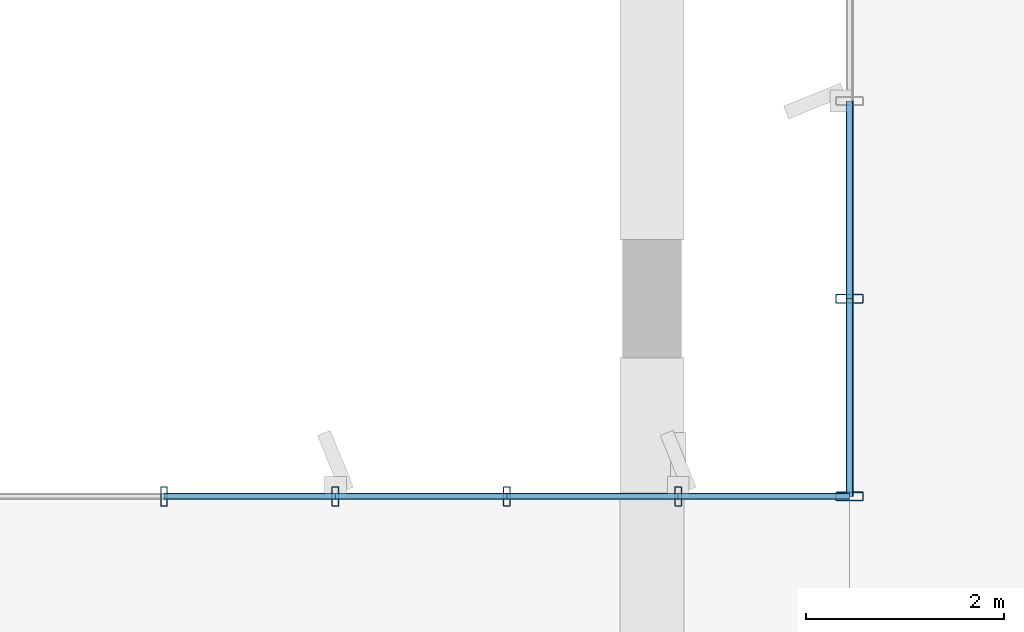
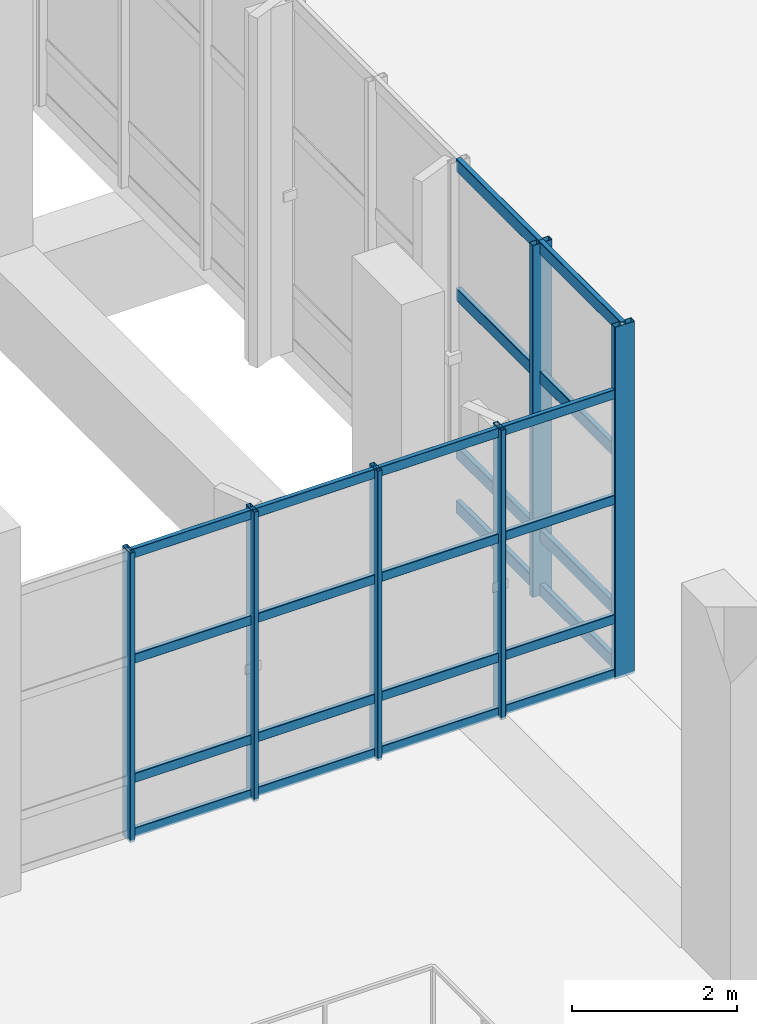
# One storey, part 46 of 176: 30 members, 2 elements without a shape of their own.
"""IFC4 building model written with IfcOpenShell, lengths in metres."""

import ifcopenshell
import ifcopenshell.guid

model = None  # the IFC model being written
_history = None  # IfcOwnerHistory: only IFC2X3 demands one
_inside = {}  # id of a spatial element -> (the spatial element, [elements in it])
_under = {}  # id of a project, library or spatial element -> (it, [spatial elements below it])
_declared = {}  # id of a project -> (the project, [libraries it declares])
_typed = {}  # id of a type object -> (the type object, [elements of that type])
_made_of = {}  # id of a material, layer set ... -> (it, [elements and type objects made of it])


def new_model(schema):
    """Start an empty IFC model of exactly this schema.

    Asked for "IFC4X3", IfcOpenShell would pick the latest addendum, in which some entities
    have other attributes; the version numbers below select the first issue.
    IFC2X3 requires an IfcOwnerHistory on every rooted entity: one is made here for all.
    """
    global model, _history
    if schema == "IFC4X3":
        model = ifcopenshell.file(schema_version=(4, 3, 0, 0))
    else:
        model = ifcopenshell.file(schema=schema)
    _inside.clear()
    _under.clear()
    _declared.clear()
    _typed.clear()
    _made_of.clear()
    _history = None
    if model.schema == "IFC2X3":
        org = make("IfcOrganization", Name="unknown")
        user = make(
            "IfcPersonAndOrganization",
            ThePerson=make("IfcPerson", FamilyName="unknown"),
            TheOrganization=org,
        )
        app = make(
            "IfcApplication",
            ApplicationDeveloper=org,
            Version="unknown",
            ApplicationFullName="unknown",
            ApplicationIdentifier="unknown",
        )
        _history = make(
            "IfcOwnerHistory",
            OwningUser=user,
            OwningApplication=app,
            ChangeAction="ADDED",
            CreationDate=0,
        )
    return model


def make(cls, **values):
    """One entity of the class cls with the attributes given. An attribute that is None is left unset."""
    return model.create_entity(
        cls, **{name: value for name, value in values.items() if value is not None}
    )


def rooted(cls, **values):
    """An entity with a GlobalId (a new one), such as an element, a storey or a relation."""
    return make(cls, GlobalId=ifcopenshell.guid.new(), OwnerHistory=_history, **values)


def si_unit(unit_type, name, prefix=None):
    """IfcSIUnit, for example si_unit("LENGTHUNIT", "METRE", prefix="MILLI")."""
    return make("IfcSIUnit", UnitType=unit_type, Prefix=prefix, Name=name)


def assignment(units):
    """IfcUnitAssignment: the units of a project."""
    return None if units is None else make("IfcUnitAssignment", Units=units)


def point(xyz):
    """IfcCartesianPoint."""
    return None if xyz is None else make("IfcCartesianPoint", Coordinates=xyz)


def direction(xyz):
    """IfcDirection."""
    return None if xyz is None else make("IfcDirection", DirectionRatios=xyz)


def frame(location, z_axis=None, x_axis=None):
    """IfcAxis2Placement3D, a coordinate frame: its origin and axes. An axis left out is left unset."""
    return make(
        "IfcAxis2Placement3D",
        Location=point(location),
        Axis=direction(z_axis),
        RefDirection=direction(x_axis),
    )


def frame_2d(location, x_axis=None):
    """IfcAxis2Placement2D, a coordinate frame in the plane: its origin and x axis."""
    return make(
        "IfcAxis2Placement2D", Location=point(location), RefDirection=direction(x_axis)
    )


def origin():
    """The frame at (0, 0, 0) with its axes left unset."""
    return frame((0.0, 0.0, 0.0))


def origin_2d():
    """The frame at (0, 0) in the plane with its x axis left unset."""
    return frame_2d((0.0, 0.0))


def place(relative_to, where):
    """IfcLocalPlacement: puts the frame where relative to a parent placement (None: the world)."""
    return make(
        "IfcLocalPlacement", PlacementRelTo=relative_to, RelativePlacement=where
    )


def context(
    kind, dimensions, precision=None, world=None, true_north=None, identifier=None
):
    """IfcGeometricRepresentationContext, for example the 3D "Model" context."""
    return make(
        "IfcGeometricRepresentationContext",
        ContextIdentifier=identifier,
        ContextType=kind,
        CoordinateSpaceDimension=dimensions,
        Precision=precision,
        WorldCoordinateSystem=world,
        TrueNorth=true_north,
    )


def subcontext(parent, identifier, kind, view, scale=None):
    """IfcGeometricRepresentationSubContext, for example "Body" below "Model"."""
    return make(
        "IfcGeometricRepresentationSubContext",
        ContextIdentifier=identifier,
        ContextType=kind,
        ParentContext=parent,
        TargetScale=scale,
        TargetView=view,
    )


def project(units=None, contexts=None):
    """IfcProject with its units and contexts."""
    return rooted(
        "IfcProject",
        Name="project",
        RepresentationContexts=contexts,
        UnitsInContext=assignment(units),
    )


def spatial(cls, under=None, at=None, **own):
    """A site, building, storey or space (cls), placed at a placement, below another one or the project."""
    s = rooted(cls, ObjectPlacement=at, **own)
    if under is not None:
        _under.setdefault(under.id(), (under, []))[1].append(s)
    return s


def profile(cls, at=None, kind="AREA", **sizes):
    """A parametric profile (cls). Its sizes go by their IFC names, for example OverallWidth=200.0."""
    return make(cls, ProfileType=kind, Position=at, **sizes)


def hollow_rectangle(**sizes):
    """IfcRectangleHollowProfileDef."""
    return profile("IfcRectangleHollowProfileDef", **sizes)


def extrude(swept, where, along, depth):
    """IfcExtrudedAreaSolid: the profile swept, set in the frame where, extruded along a direction by depth."""
    return make(
        "IfcExtrudedAreaSolid",
        SweptArea=swept,
        Position=where,
        ExtrudedDirection=direction(along),
        Depth=depth,
    )


def shape(context_of_items, identifier, shape_type, items):
    """IfcShapeRepresentation: the items that make up one representation, for example the "Body"."""
    return make(
        "IfcShapeRepresentation",
        ContextOfItems=context_of_items,
        RepresentationIdentifier=identifier,
        RepresentationType=shape_type,
        Items=items,
    )


def material(Name=None, Category=None):
    """IfcMaterial."""
    return make("IfcMaterial", Name=Name, Category=Category)


def layer(
    of_material, thickness, ventilated=None, Name=None, Category=None, Priority=None
):
    """IfcMaterialLayer: one layer of a wall or slab, of a material (None: an air gap)."""
    return make(
        "IfcMaterialLayer",
        Material=of_material,
        LayerThickness=thickness,
        IsVentilated=ventilated,
        Name=Name,
        Category=Category,
        Priority=Priority,
    )


def layer_set(layers, Name=None):
    """IfcMaterialLayerSet."""
    return make("IfcMaterialLayerSet", MaterialLayers=layers, LayerSetName=Name)


def material_profile(
    of_material, cross_section, Name=None, Category=None, Priority=None
):
    """IfcMaterialProfile: a cross section and its material."""
    return make(
        "IfcMaterialProfile",
        Name=Name,
        Material=of_material,
        Profile=cross_section,
        Priority=Priority,
        Category=Category,
    )


def profile_set(profiles, Name=None, composite=None):
    """IfcMaterialProfileSet."""
    return make(
        "IfcMaterialProfileSet",
        Name=Name,
        MaterialProfiles=profiles,
        CompositeProfile=composite,
    )


def made_of(thing, what):
    """Note that an element or type object is made of a material, layer set ...; save() writes the relation."""
    if what is not None:
        _made_of.setdefault(what.id(), (what, []))[1].append(thing)
    return thing


def type_object(cls, material=None, **own):
    """A type object (cls), such as IfcWallType, which elements share."""
    return made_of(rooted(cls, **own), material)


def element(
    cls,
    number,
    at=None,
    inside=None,
    cuts=None,
    type_object=None,
    material=None,
    context=None,
    identifier="Body",
    shape_type=None,
    held_by="IfcProductDefinitionShape",
    body=None,
    shapes=None,
    **own,
):
    """One element of the class cls, such as IfcWall. Its Tag is "e" and its number.

    at: its placement. inside: the storey or other place that contains it. cuts: it is an
    opening in that element (IfcRelVoidsElement). A single representation is given by context,
    identifier, shape_type and body (its items); several are given by shapes. held_by: the class
    of the entity that holds the representations. save() writes the other relations.
    """
    e = rooted(cls, Tag="e%d" % number, ObjectPlacement=at, **own)
    if body is not None:
        shapes = [shape(context, identifier, shape_type, body)]
    if shapes is not None:
        e.Representation = make(held_by, Representations=shapes)
    if inside is not None:
        _inside.setdefault(inside.id(), (inside, []))[1].append(e)
    if cuts is not None:
        rooted(
            "IfcRelVoidsElement", RelatingBuildingElement=cuts, RelatedOpeningElement=e
        )
    if type_object is not None:
        _typed.setdefault(type_object.id(), (type_object, []))[1].append(e)
    return made_of(e, material)


def aggregate(whole, parts):
    """IfcRelAggregates: a whole, such as a stair, and the parts it consists of."""
    return rooted("IfcRelAggregates", RelatingObject=whole, RelatedObjects=parts)


def save(model, path):
    """Write the relations noted so far, then the file.

    IfcRelAggregates (storeys below a building ...), IfcRelContainedInSpatialStructure (elements
    in a storey), IfcRelDefinesByType, IfcRelAssociatesMaterial and IfcRelDeclares: one each for
    every whole, place, type object, material and project.
    """
    for whole, parts in _under.values():
        aggregate(whole, parts)
    for where, things in _inside.values():
        rooted(
            "IfcRelContainedInSpatialStructure",
            RelatedElements=things,
            RelatingStructure=where,
        )
    for kind, things in _typed.values():
        rooted("IfcRelDefinesByType", RelatedObjects=things, RelatingType=kind)
    for what, things in _made_of.values():
        rooted("IfcRelAssociatesMaterial", RelatedObjects=things, RelatingMaterial=what)
    for by, libraries in _declared.values():
        rooted("IfcRelDeclares", RelatingContext=by, RelatedDefinitions=libraries)
    model.write(path)


model = new_model("IFC4")

# Units and contexts
model_context = context("Model", 3, precision=1e-05, world=origin(), true_north=direction((0.0, 1.0)))
body_context = subcontext(model_context, "Body", "Model", "MODEL_VIEW")
ifc_project = project(units=[si_unit("LENGTHUNIT", "METRE"), si_unit("AREAUNIT", "SQUARE_METRE"), si_unit("VOLUMEUNIT", "CUBIC_METRE"), si_unit("PLANEANGLEUNIT", "RADIAN"), si_unit("MASSUNIT", "GRAM", prefix="KILO")], contexts=[model_context])

# Site, building, storey
site_placement = place(None, origin())
site = spatial("IfcSite", under=ifc_project, at=site_placement, CompositionType="ELEMENT")
building_placement = place(site_placement, origin())
building = spatial("IfcBuilding", under=site, at=building_placement, Name="Khorjan Park Terminus", CompositionType="ELEMENT")
storey_placement = place(building_placement, frame((0.0, 0.0, 6.0)))
storey = spatial("IfcBuildingStorey", under=building, at=storey_placement, Name="L01", CompositionType="ELEMENT", Elevation=6.0)

# Curtain wall, members
ifc_material = material(Name="Anodized Bronze Aluminium", Category="aluminium")
ifc_layer_1 = layer(ifc_material, 0.22)
ifc_layer_set_1 = layer_set([ifc_layer_1], Name="Anodized Bronze Aluminium")
curtain_wall_type_1 = type_object("IfcCurtainWallType", Name="CW-PAV-C", PredefinedType="NOTDEFINED", material=ifc_layer_set_1)
curtain_wall_1_placement = place(storey_placement, origin())
curtain_wall_1 = element("IfcCurtainWall", 1, at=curtain_wall_1_placement, inside=storey, type_object=curtain_wall_type_1, Name="Unitized curtain wall CW-C (CW-V4L-N-L01-3)", PredefinedType="NOTDEFINED")
ifc_material_profile_1 = material_profile(ifc_material, hollow_rectangle(XDim=0.07, YDim=0.2, WallThickness=0.005, InnerFilletRadius=0.005, OuterFilletRadius=0.01, at=origin_2d()), Name="ALM 70x200x5")
ifc_profile_set_1 = profile_set([ifc_material_profile_1], Name="Anodized Bronze Aluminium")
member_type_1 = type_object("IfcMemberType", Name="ML-ALM-200", PredefinedType="MULLION", material=ifc_profile_set_1)
member_1_placement = place(storey_placement, frame((48.266, 66.0, -0.035), z_axis=(0.0, 0.0, 1.0), x_axis=(-1.0, 0.0, 0.0)))
member_1 = element("IfcMember", 2, at=member_1_placement, type_object=member_type_1, Name="Curtain-wall mullion ML-20 (CW-V4L-N-L01-3-1)", PredefinedType="MULLION", context=body_context, shape_type="SweptSolid", body=[
    extrude(hollow_rectangle(XDim=0.07, YDim=0.2, WallThickness=0.005, InnerFilletRadius=0.005, OuterFilletRadius=0.01, at=origin_2d()), origin(), (0.0, 0.0, 1.0), 4.295),
])
member_2_placement = place(storey_placement, frame((46.532, 66.0, -0.035), z_axis=(0.0, 0.0, 1.0), x_axis=(-1.0, 0.0, 0.0)))
member_2 = element("IfcMember", 3, at=member_2_placement, type_object=member_type_1, Name="Curtain-wall mullion ML-20 (CW-V4L-N-L01-3-2)", PredefinedType="MULLION", context=body_context, shape_type="SweptSolid", body=[
    extrude(hollow_rectangle(XDim=0.07, YDim=0.2, WallThickness=0.005, InnerFilletRadius=0.005, OuterFilletRadius=0.01, at=origin_2d()), origin(), (0.0, 0.0, 1.0), 4.295),
])
member_3_placement = place(storey_placement, frame((44.798, 66.0, -0.035), z_axis=(0.0, 0.0, 1.0), x_axis=(-1.0, 0.0, 0.0)))
member_3 = element("IfcMember", 4, at=member_3_placement, type_object=member_type_1, Name="Curtain-wall mullion ML-20 (CW-V4L-N-L01-3-3)", PredefinedType="MULLION", context=body_context, shape_type="SweptSolid", body=[
    extrude(hollow_rectangle(XDim=0.07, YDim=0.2, WallThickness=0.005, InnerFilletRadius=0.005, OuterFilletRadius=0.01, at=origin_2d()), origin(), (0.0, 0.0, 1.0), 4.295),
])
member_4_placement = place(storey_placement, frame((43.064, 66.0, -0.035), z_axis=(0.0, 0.0, 1.0), x_axis=(-1.0, 0.0, 0.0)))
member_4 = element("IfcMember", 5, at=member_4_placement, type_object=member_type_1, Name="Curtain-wall mullion ML-20 (CW-V4L-N-L01-3-4)", PredefinedType="MULLION", context=body_context, shape_type="SweptSolid", body=[
    extrude(hollow_rectangle(XDim=0.07, YDim=0.2, WallThickness=0.005, InnerFilletRadius=0.005, OuterFilletRadius=0.01, at=origin_2d()), origin(), (0.0, 0.0, 1.0), 4.295),
])

ifc_layer_2 = layer(ifc_material, 0.22)
ifc_layer_set_2 = layer_set([ifc_layer_2], Name="Anodized Bronze Aluminium")
curtain_wall_type_2 = type_object("IfcCurtainWallType", Name="CW-CONC-A", PredefinedType="NOTDEFINED", material=ifc_layer_set_2)
curtain_wall_2_placement = place(storey_placement, origin())
curtain_wall_2 = element("IfcCurtainWall", 6, at=curtain_wall_2_placement, inside=storey, type_object=curtain_wall_type_2, Name="Unitized curtain wall CW-A (CW-V2-W-L01-04)", PredefinedType="NOTDEFINED")
ifc_material_profile_2 = material_profile(ifc_material, hollow_rectangle(XDim=0.09, YDim=0.28, WallThickness=0.006, InnerFilletRadius=0.006, OuterFilletRadius=0.012, at=origin_2d()), Name="ALM 90x280x6")
ifc_profile_set_2 = profile_set([ifc_material_profile_2], Name="Anodized Bronze Aluminium")
member_type_2 = type_object("IfcMemberType", Name="ML-ALM-280", PredefinedType="MULLION", material=ifc_profile_set_2)
member_5_placement = place(storey_placement, frame((50.0, 68.0, -0.035), z_axis=(0.0, 0.0, 1.0), x_axis=(0.0, -1.0, 0.0)))
member_5 = element("IfcMember", 7, at=member_5_placement, type_object=member_type_2, Name="Curtain-wall mullion ML-28 (CW-V2-W-L01-04-4)", PredefinedType="MULLION", context=body_context, shape_type="SweptSolid", body=[
    extrude(hollow_rectangle(XDim=0.09, YDim=0.28, WallThickness=0.006, InnerFilletRadius=0.006, OuterFilletRadius=0.012, at=origin_2d()), origin(), (0.0, 0.0, 1.0), 5.22),
])
member_6_placement = place(storey_placement, frame((50.0, 66.0, -0.035), z_axis=(0.0, 0.0, 1.0), x_axis=(0.0, -1.0, 0.0)))
member_6 = element("IfcMember", 8, at=member_6_placement, type_object=member_type_2, Name="Curtain-wall mullion ML-28 (CW-V2-W-L01-04-5)", PredefinedType="MULLION", context=body_context, shape_type="SweptSolid", body=[
    extrude(hollow_rectangle(XDim=0.09, YDim=0.28, WallThickness=0.006, InnerFilletRadius=0.006, OuterFilletRadius=0.012, at=origin_2d()), origin(), (0.0, 0.0, 1.0), 5.22),
])

# Member
ifc_material_profile_3 = material_profile(ifc_material, hollow_rectangle(XDim=0.065, YDim=0.14, WallThickness=0.004, InnerFilletRadius=0.004, OuterFilletRadius=0.008, at=origin_2d()), Name="ALT 65x140x4")
ifc_profile_set_3 = profile_set([ifc_material_profile_3], Name="Anodized Bronze Aluminium")
member_type_3 = type_object("IfcMemberType", Name="TR-ALT-140", PredefinedType="USERDEFINED", material=ifc_profile_set_3)
member_7_placement = place(storey_placement, frame((50.0, 66.0, 0.04), z_axis=(-1.0, 0.0, 0.0), x_axis=(0.0, -1.0, 0.0)))
member_7 = element("IfcMember", 9, at=member_7_placement, type_object=member_type_3, Name="Curtain-wall transom TR-14 (CW-V4L-N-L01-3-0-1)", ObjectType="TRANSOM", PredefinedType="USERDEFINED", context=body_context, shape_type="SweptSolid", body=[
    extrude(hollow_rectangle(XDim=0.065, YDim=0.14, WallThickness=0.004, InnerFilletRadius=0.004, OuterFilletRadius=0.008, at=origin_2d()), origin(), (0.0, 0.0, 1.0), 1.734),
])

member_8_placement = place(storey_placement, frame((50.0, 66.0, 0.85), z_axis=(-1.0, 0.0, 0.0), x_axis=(0.0, -1.0, 0.0)))
member_8 = element("IfcMember", 10, at=member_8_placement, type_object=member_type_3, Name="Curtain-wall transom TR-14 (CW-V4L-N-L01-3-0-2)", ObjectType="TRANSOM", PredefinedType="USERDEFINED", context=body_context, shape_type="SweptSolid", body=[
    extrude(hollow_rectangle(XDim=0.065, YDim=0.14, WallThickness=0.004, InnerFilletRadius=0.004, OuterFilletRadius=0.008, at=origin_2d()), origin(), (0.0, 0.0, 1.0), 1.734),
])

member_9_placement = place(storey_placement, frame((50.0, 66.0, 2.6195), z_axis=(-1.0, 0.0, 0.0), x_axis=(0.0, -1.0, 0.0)))
member_9 = element("IfcMember", 11, at=member_9_placement, type_object=member_type_3, Name="Curtain-wall transom TR-14 (CW-V4L-N-L01-3-0-3)", ObjectType="TRANSOM", PredefinedType="USERDEFINED", context=body_context, shape_type="SweptSolid", body=[
    extrude(hollow_rectangle(XDim=0.065, YDim=0.14, WallThickness=0.004, InnerFilletRadius=0.004, OuterFilletRadius=0.008, at=origin_2d()), origin(), (0.0, 0.0, 1.0), 1.734),
])

member_10_placement = place(storey_placement, frame((50.0, 66.0, 4.185), z_axis=(-1.0, 0.0, 0.0), x_axis=(0.0, -1.0, 0.0)))
member_10 = element("IfcMember", 12, at=member_10_placement, type_object=member_type_3, Name="Curtain-wall transom TR-14 (CW-V4L-N-L01-3-0-4)", ObjectType="TRANSOM", PredefinedType="USERDEFINED", context=body_context, shape_type="SweptSolid", body=[
    extrude(hollow_rectangle(XDim=0.065, YDim=0.14, WallThickness=0.004, InnerFilletRadius=0.004, OuterFilletRadius=0.008, at=origin_2d()), origin(), (0.0, 0.0, 1.0), 1.734),
])

member_11_placement = place(storey_placement, frame((48.266, 66.0, 0.04), z_axis=(-1.0, 0.0, 0.0), x_axis=(0.0, -1.0, 0.0)))
member_11 = element("IfcMember", 13, at=member_11_placement, type_object=member_type_3, Name="Curtain-wall transom TR-14 (CW-V4L-N-L01-3-1-1)", ObjectType="TRANSOM", PredefinedType="USERDEFINED", context=body_context, shape_type="SweptSolid", body=[
    extrude(hollow_rectangle(XDim=0.065, YDim=0.14, WallThickness=0.004, InnerFilletRadius=0.004, OuterFilletRadius=0.008, at=origin_2d()), origin(), (0.0, 0.0, 1.0), 1.734),
])

member_12_placement = place(storey_placement, frame((48.266, 66.0, 0.85), z_axis=(-1.0, 0.0, 0.0), x_axis=(0.0, -1.0, 0.0)))
member_12 = element("IfcMember", 14, at=member_12_placement, type_object=member_type_3, Name="Curtain-wall transom TR-14 (CW-V4L-N-L01-3-1-2)", ObjectType="TRANSOM", PredefinedType="USERDEFINED", context=body_context, shape_type="SweptSolid", body=[
    extrude(hollow_rectangle(XDim=0.065, YDim=0.14, WallThickness=0.004, InnerFilletRadius=0.004, OuterFilletRadius=0.008, at=origin_2d()), origin(), (0.0, 0.0, 1.0), 1.734),
])

member_13_placement = place(storey_placement, frame((48.266, 66.0, 2.6195), z_axis=(-1.0, 0.0, 0.0), x_axis=(0.0, -1.0, 0.0)))
member_13 = element("IfcMember", 15, at=member_13_placement, type_object=member_type_3, Name="Curtain-wall transom TR-14 (CW-V4L-N-L01-3-1-3)", ObjectType="TRANSOM", PredefinedType="USERDEFINED", context=body_context, shape_type="SweptSolid", body=[
    extrude(hollow_rectangle(XDim=0.065, YDim=0.14, WallThickness=0.004, InnerFilletRadius=0.004, OuterFilletRadius=0.008, at=origin_2d()), origin(), (0.0, 0.0, 1.0), 1.734),
])

member_14_placement = place(storey_placement, frame((48.266, 66.0, 4.185), z_axis=(-1.0, 0.0, 0.0), x_axis=(0.0, -1.0, 0.0)))
member_14 = element("IfcMember", 16, at=member_14_placement, type_object=member_type_3, Name="Curtain-wall transom TR-14 (CW-V4L-N-L01-3-1-4)", ObjectType="TRANSOM", PredefinedType="USERDEFINED", context=body_context, shape_type="SweptSolid", body=[
    extrude(hollow_rectangle(XDim=0.065, YDim=0.14, WallThickness=0.004, InnerFilletRadius=0.004, OuterFilletRadius=0.008, at=origin_2d()), origin(), (0.0, 0.0, 1.0), 1.734),
])

member_15_placement = place(storey_placement, frame((46.532, 66.0, 0.04), z_axis=(-1.0, 0.0, 0.0), x_axis=(0.0, -1.0, 0.0)))
member_15 = element("IfcMember", 17, at=member_15_placement, type_object=member_type_3, Name="Curtain-wall transom TR-14 (CW-V4L-N-L01-3-2-1)", ObjectType="TRANSOM", PredefinedType="USERDEFINED", context=body_context, shape_type="SweptSolid", body=[
    extrude(hollow_rectangle(XDim=0.065, YDim=0.14, WallThickness=0.004, InnerFilletRadius=0.004, OuterFilletRadius=0.008, at=origin_2d()), origin(), (0.0, 0.0, 1.0), 1.734),
])

member_16_placement = place(storey_placement, frame((46.532, 66.0, 0.85), z_axis=(-1.0, 0.0, 0.0), x_axis=(0.0, -1.0, 0.0)))
member_16 = element("IfcMember", 18, at=member_16_placement, type_object=member_type_3, Name="Curtain-wall transom TR-14 (CW-V4L-N-L01-3-2-2)", ObjectType="TRANSOM", PredefinedType="USERDEFINED", context=body_context, shape_type="SweptSolid", body=[
    extrude(hollow_rectangle(XDim=0.065, YDim=0.14, WallThickness=0.004, InnerFilletRadius=0.004, OuterFilletRadius=0.008, at=origin_2d()), origin(), (0.0, 0.0, 1.0), 1.734),
])

member_17_placement = place(storey_placement, frame((46.532, 66.0, 2.6195), z_axis=(-1.0, 0.0, 0.0), x_axis=(0.0, -1.0, 0.0)))
member_17 = element("IfcMember", 19, at=member_17_placement, type_object=member_type_3, Name="Curtain-wall transom TR-14 (CW-V4L-N-L01-3-2-3)", ObjectType="TRANSOM", PredefinedType="USERDEFINED", context=body_context, shape_type="SweptSolid", body=[
    extrude(hollow_rectangle(XDim=0.065, YDim=0.14, WallThickness=0.004, InnerFilletRadius=0.004, OuterFilletRadius=0.008, at=origin_2d()), origin(), (0.0, 0.0, 1.0), 1.734),
])

member_18_placement = place(storey_placement, frame((46.532, 66.0, 4.185), z_axis=(-1.0, 0.0, 0.0), x_axis=(0.0, -1.0, 0.0)))
member_18 = element("IfcMember", 20, at=member_18_placement, type_object=member_type_3, Name="Curtain-wall transom TR-14 (CW-V4L-N-L01-3-2-4)", ObjectType="TRANSOM", PredefinedType="USERDEFINED", context=body_context, shape_type="SweptSolid", body=[
    extrude(hollow_rectangle(XDim=0.065, YDim=0.14, WallThickness=0.004, InnerFilletRadius=0.004, OuterFilletRadius=0.008, at=origin_2d()), origin(), (0.0, 0.0, 1.0), 1.734),
])

member_19_placement = place(storey_placement, frame((44.798, 66.0, 0.04), z_axis=(-1.0, 0.0, 0.0), x_axis=(0.0, -1.0, 0.0)))
member_19 = element("IfcMember", 21, at=member_19_placement, type_object=member_type_3, Name="Curtain-wall transom TR-14 (CW-V4L-N-L01-3-3-1)", ObjectType="TRANSOM", PredefinedType="USERDEFINED", context=body_context, shape_type="SweptSolid", body=[
    extrude(hollow_rectangle(XDim=0.065, YDim=0.14, WallThickness=0.004, InnerFilletRadius=0.004, OuterFilletRadius=0.008, at=origin_2d()), origin(), (0.0, 0.0, 1.0), 1.734),
])

member_20_placement = place(storey_placement, frame((44.798, 66.0, 0.85), z_axis=(-1.0, 0.0, 0.0), x_axis=(0.0, -1.0, 0.0)))
member_20 = element("IfcMember", 22, at=member_20_placement, type_object=member_type_3, Name="Curtain-wall transom TR-14 (CW-V4L-N-L01-3-3-2)", ObjectType="TRANSOM", PredefinedType="USERDEFINED", context=body_context, shape_type="SweptSolid", body=[
    extrude(hollow_rectangle(XDim=0.065, YDim=0.14, WallThickness=0.004, InnerFilletRadius=0.004, OuterFilletRadius=0.008, at=origin_2d()), origin(), (0.0, 0.0, 1.0), 1.734),
])

member_21_placement = place(storey_placement, frame((44.798, 66.0, 2.6195), z_axis=(-1.0, 0.0, 0.0), x_axis=(0.0, -1.0, 0.0)))
member_21 = element("IfcMember", 23, at=member_21_placement, type_object=member_type_3, Name="Curtain-wall transom TR-14 (CW-V4L-N-L01-3-3-3)", ObjectType="TRANSOM", PredefinedType="USERDEFINED", context=body_context, shape_type="SweptSolid", body=[
    extrude(hollow_rectangle(XDim=0.065, YDim=0.14, WallThickness=0.004, InnerFilletRadius=0.004, OuterFilletRadius=0.008, at=origin_2d()), origin(), (0.0, 0.0, 1.0), 1.734),
])

member_22_placement = place(storey_placement, frame((44.798, 66.0, 4.185), z_axis=(-1.0, 0.0, 0.0), x_axis=(0.0, -1.0, 0.0)))
member_22 = element("IfcMember", 24, at=member_22_placement, type_object=member_type_3, Name="Curtain-wall transom TR-14 (CW-V4L-N-L01-3-3-4)", ObjectType="TRANSOM", PredefinedType="USERDEFINED", context=body_context, shape_type="SweptSolid", body=[
    extrude(hollow_rectangle(XDim=0.065, YDim=0.14, WallThickness=0.004, InnerFilletRadius=0.004, OuterFilletRadius=0.008, at=origin_2d()), origin(), (0.0, 0.0, 1.0), 1.734),
])

aggregate(curtain_wall_1, [member_1, member_2, member_3, member_4, member_7, member_8, member_9, member_10, member_11, member_12, member_13, member_14, member_15, member_16, member_17, member_18, member_19, member_20, member_21, member_22])

ifc_material_profile_4 = material_profile(ifc_material, hollow_rectangle(XDim=0.075, YDim=0.185, WallThickness=0.005, InnerFilletRadius=0.005, OuterFilletRadius=0.01, at=origin_2d()), Name="ALT 75x185x5")
ifc_profile_set_4 = profile_set([ifc_material_profile_4], Name="Anodized Bronze Aluminium")
member_type_4 = type_object("IfcMemberType", Name="TR-ALT-185", PredefinedType="USERDEFINED", material=ifc_profile_set_4)
member_23_placement = place(storey_placement, frame((50.0, 70.0, 0.04), z_axis=(0.0, -1.0, 0.0), x_axis=(1.0, 0.0, 0.0)))
member_23 = element("IfcMember", 25, at=member_23_placement, type_object=member_type_4, Name="Curtain-wall transom TR-18 (CW-V2-W-L01-04-3-1)", ObjectType="TRANSOM", PredefinedType="USERDEFINED", context=body_context, shape_type="SweptSolid", body=[
    extrude(hollow_rectangle(XDim=0.075, YDim=0.185, WallThickness=0.005, InnerFilletRadius=0.005, OuterFilletRadius=0.01, at=origin_2d()), origin(), (0.0, 0.0, 1.0), 2.0),
])

member_24_placement = place(storey_placement, frame((50.0, 70.0, 0.85), z_axis=(0.0, -1.0, 0.0), x_axis=(1.0, 0.0, 0.0)))
member_24 = element("IfcMember", 26, at=member_24_placement, type_object=member_type_4, Name="Curtain-wall transom TR-18 (CW-V2-W-L01-04-3-2)", ObjectType="TRANSOM", PredefinedType="USERDEFINED", context=body_context, shape_type="SweptSolid", body=[
    extrude(hollow_rectangle(XDim=0.075, YDim=0.185, WallThickness=0.005, InnerFilletRadius=0.005, OuterFilletRadius=0.01, at=origin_2d()), origin(), (0.0, 0.0, 1.0), 2.0),
])

member_25_placement = place(storey_placement, frame((50.0, 70.0, 3.193), z_axis=(0.0, -1.0, 0.0), x_axis=(1.0, 0.0, 0.0)))
member_25 = element("IfcMember", 27, at=member_25_placement, type_object=member_type_4, Name="Curtain-wall transom TR-18 (CW-V2-W-L01-04-3-3)", ObjectType="TRANSOM", PredefinedType="USERDEFINED", context=body_context, shape_type="SweptSolid", body=[
    extrude(hollow_rectangle(XDim=0.075, YDim=0.185, WallThickness=0.005, InnerFilletRadius=0.005, OuterFilletRadius=0.01, at=origin_2d()), origin(), (0.0, 0.0, 1.0), 2.0),
])

member_26_placement = place(storey_placement, frame((50.0, 70.0, 5.11), z_axis=(0.0, -1.0, 0.0), x_axis=(1.0, 0.0, 0.0)))
member_26 = element("IfcMember", 28, at=member_26_placement, type_object=member_type_4, Name="Curtain-wall transom TR-18 (CW-V2-W-L01-04-3-4)", ObjectType="TRANSOM", PredefinedType="USERDEFINED", context=body_context, shape_type="SweptSolid", body=[
    extrude(hollow_rectangle(XDim=0.075, YDim=0.185, WallThickness=0.005, InnerFilletRadius=0.005, OuterFilletRadius=0.01, at=origin_2d()), origin(), (0.0, 0.0, 1.0), 2.0),
])

member_27_placement = place(storey_placement, frame((50.0, 68.0, 0.04), z_axis=(0.0, -1.0, 0.0), x_axis=(1.0, 0.0, 0.0)))
member_27 = element("IfcMember", 29, at=member_27_placement, type_object=member_type_4, Name="Curtain-wall transom TR-18 (CW-V2-W-L01-04-4-1)", ObjectType="TRANSOM", PredefinedType="USERDEFINED", context=body_context, shape_type="SweptSolid", body=[
    extrude(hollow_rectangle(XDim=0.075, YDim=0.185, WallThickness=0.005, InnerFilletRadius=0.005, OuterFilletRadius=0.01, at=origin_2d()), origin(), (0.0, 0.0, 1.0), 2.0),
])

member_28_placement = place(storey_placement, frame((50.0, 68.0, 0.85), z_axis=(0.0, -1.0, 0.0), x_axis=(1.0, 0.0, 0.0)))
member_28 = element("IfcMember", 30, at=member_28_placement, type_object=member_type_4, Name="Curtain-wall transom TR-18 (CW-V2-W-L01-04-4-2)", ObjectType="TRANSOM", PredefinedType="USERDEFINED", context=body_context, shape_type="SweptSolid", body=[
    extrude(hollow_rectangle(XDim=0.075, YDim=0.185, WallThickness=0.005, InnerFilletRadius=0.005, OuterFilletRadius=0.01, at=origin_2d()), origin(), (0.0, 0.0, 1.0), 2.0),
])

member_29_placement = place(storey_placement, frame((50.0, 68.0, 3.193), z_axis=(0.0, -1.0, 0.0), x_axis=(1.0, 0.0, 0.0)))
member_29 = element("IfcMember", 31, at=member_29_placement, type_object=member_type_4, Name="Curtain-wall transom TR-18 (CW-V2-W-L01-04-4-3)", ObjectType="TRANSOM", PredefinedType="USERDEFINED", context=body_context, shape_type="SweptSolid", body=[
    extrude(hollow_rectangle(XDim=0.075, YDim=0.185, WallThickness=0.005, InnerFilletRadius=0.005, OuterFilletRadius=0.01, at=origin_2d()), origin(), (0.0, 0.0, 1.0), 2.0),
])

member_30_placement = place(storey_placement, frame((50.0, 68.0, 5.11), z_axis=(0.0, -1.0, 0.0), x_axis=(1.0, 0.0, 0.0)))
member_30 = element("IfcMember", 32, at=member_30_placement, type_object=member_type_4, Name="Curtain-wall transom TR-18 (CW-V2-W-L01-04-4-4)", ObjectType="TRANSOM", PredefinedType="USERDEFINED", context=body_context, shape_type="SweptSolid", body=[
    extrude(hollow_rectangle(XDim=0.075, YDim=0.185, WallThickness=0.005, InnerFilletRadius=0.005, OuterFilletRadius=0.01, at=origin_2d()), origin(), (0.0, 0.0, 1.0), 2.0),
])

aggregate(curtain_wall_2, [member_5, member_6, member_23, member_24, member_25, member_26, member_27, member_28, member_29, member_30])

save(model, "model.ifc")
